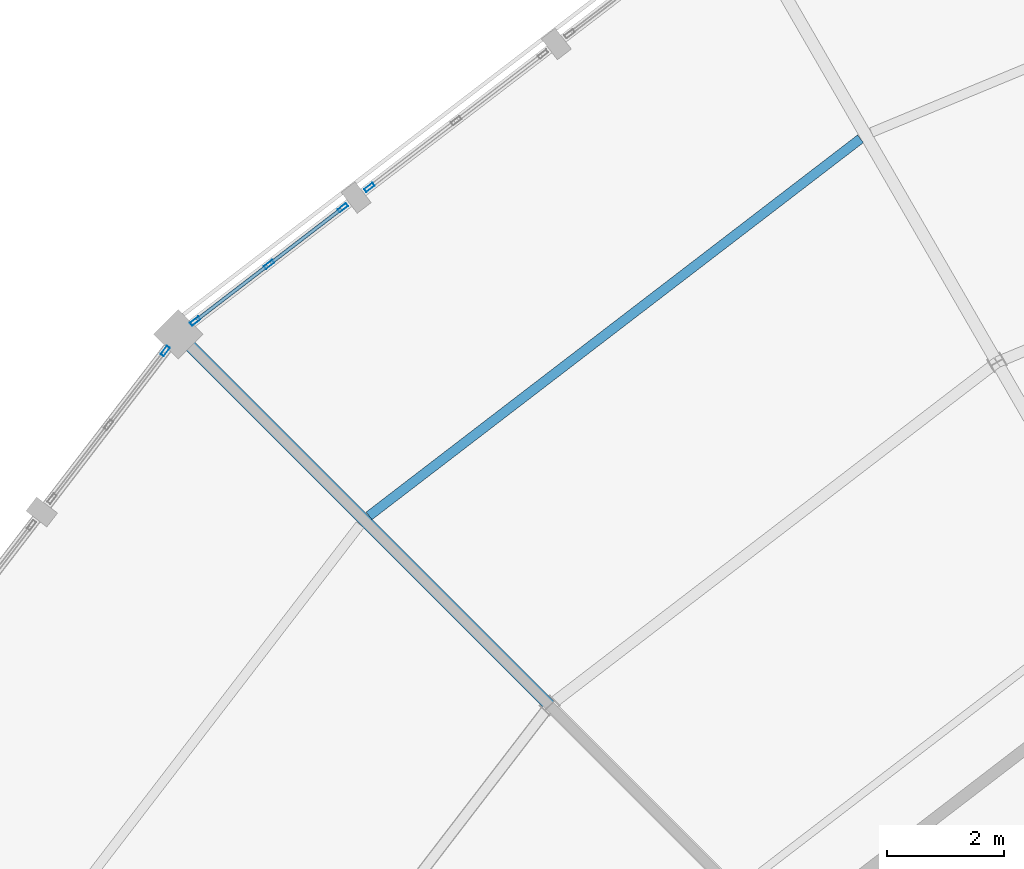
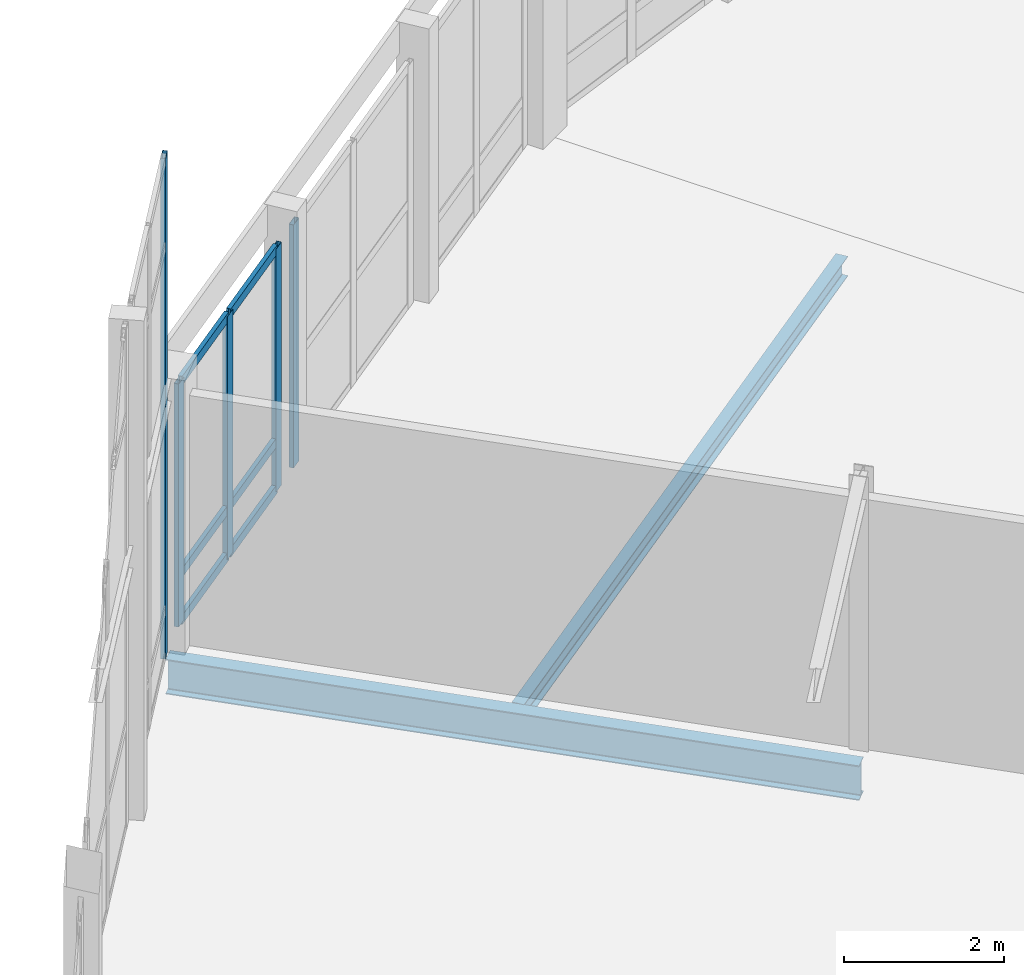
# One storey, part 89 of 200: 11 members, 2 beams, 3 elements without a shape of their own.
"""IFC4 building model written with IfcOpenShell, lengths in metres."""

from ifc_helpers import new_model, si_unit, direction, frame, origin, origin_2d, place, context, subcontext, project, spatial, hollow_rectangle, i_section, extrude, material, material_profile, profile_set, type_object, element, aggregate, save


model = new_model("IFC4")

# Units and contexts
model_context = context("Model", 3, precision=1e-05, world=origin(), true_north=direction((0.0, 1.0)))
body_context = subcontext(model_context, "Body", "Model", "MODEL_VIEW")
ifc_project = project(units=[si_unit("LENGTHUNIT", "METRE"), si_unit("AREAUNIT", "SQUARE_METRE"), si_unit("VOLUMEUNIT", "CUBIC_METRE"), si_unit("PLANEANGLEUNIT", "RADIAN"), si_unit("MASSUNIT", "GRAM", prefix="KILO")], contexts=[model_context])

# Site, building, storey
site_placement = place(None, origin())
site = spatial("IfcSite", under=ifc_project, at=site_placement, CompositionType="ELEMENT")
building_placement = place(site_placement, origin())
building = spatial("IfcBuilding", under=site, at=building_placement, Name="Vondelvale Polytechnic", CompositionType="ELEMENT")
storey_placement = place(building_placement, frame((0.0, 0.0, 13.800048828125)))
storey = spatial("IfcBuildingStorey", under=building, at=storey_placement, Name="L03", CompositionType="ELEMENT", Elevation=13.800048828125)

# Beam
ifc_material_1 = material(Name="Steel 300PLUS (fy = 300 MPa)", Category="steel")
ifc_material_profile_1 = material_profile(ifc_material_1, i_section(OverallWidth=0.208984375, OverallDepth=0.532958984375, WebThickness=0.01025390625, FlangeThickness=0.015625, FilletRadius=0.013916015625, at=origin_2d()), Name="530UB92.4")
ifc_profile_set_1 = profile_set([ifc_material_profile_1], Name="Steel 300PLUS (fy = 300 MPa)")
beam_type_1 = type_object("IfcBeamType", Name="BM-UB530", PredefinedType="BEAM", material=ifc_profile_set_1)
beam_1_placement = place(storey_placement, frame((75.8369140625, 98.1630859375, -0.5166015625), z_axis=(-0.707106781187, 0.707106781187, 0.0), x_axis=(-0.707106781187, -0.707106781187, 0.0)))
element("IfcBeam", 1, at=beam_1_placement, inside=storey, type_object=beam_type_1, Name="L03 RG B-11", PredefinedType="BEAM", context=body_context, shape_type="SweptSolid", body=[
    extrude(i_section(OverallWidth=0.208984375, OverallDepth=0.532958984375, WebThickness=0.01025390625, FlangeThickness=0.015625, FilletRadius=0.013916015625, at=origin_2d()), origin(), (0.0, 0.0, 1.0), 8.999755859375),
])

# Curtain wall, member
ifc_material_2 = material(Name="Glulam GL18 structural Tasmanian oak (fb = 42 MPa)", Category="wood")
curtain_wall_type = type_object("IfcCurtainWallType", Name="CW-RING-OUTER", PredefinedType="NOTDEFINED", material=ifc_material_2)
curtain_wall_1_placement = place(storey_placement, origin())
curtain_wall_1 = element("IfcCurtainWall", 2, at=curtain_wall_1_placement, inside=storey, type_object=curtain_wall_type, Name="L03 architectural curtain wall CW-04-204", PredefinedType="NOTDEFINED")
ifc_material_3 = material(Name="Anodised extruded aluminium 6063-T6", Category="aluminium")
ifc_material_profile_2 = material_profile(ifc_material_3, hollow_rectangle(XDim=0.06494140625, YDim=0.179931640625, WallThickness=0.00390625, at=origin_2d()), Name="CW-MUL-180x65")
ifc_profile_set_2 = profile_set([ifc_material_profile_2], Name="Anodised extruded aluminium 6063-T6")
member_type_1 = type_object("IfcMemberType", Name="CW-MUL-65x180", PredefinedType="MULLION", material=ifc_profile_set_2)
member_1_placement = place(storey_placement, frame((72.749755859375, 107.041259765625, 0.0), z_axis=(0.0, 0.0, 1.0), x_axis=(0.608771189063, -0.793345851043, 0.0)))
member_1 = element("IfcMember", 3, at=member_1_placement, type_object=member_type_1, Name="CW-04-204 mullion 3", PredefinedType="MULLION", context=body_context, shape_type="SweptSolid", body=[
    extrude(hollow_rectangle(XDim=0.06494140625, YDim=0.179931640625, WallThickness=0.00390625, at=origin_2d()), origin(), (0.0, 0.0, 1.0), 3.719970703125),
])
aggregate(curtain_wall_1, [member_1])

# Curtain wall, members
curtain_wall_2_placement = place(storey_placement, origin())
curtain_wall_2 = element("IfcCurtainWall", 4, at=curtain_wall_2_placement, inside=storey, type_object=curtain_wall_type, Name="L03 architectural curtain wall CW-04-205", PredefinedType="NOTDEFINED")
member_2_placement = place(storey_placement, frame((72.293701171875, 106.691162109375, 0.0), z_axis=(0.0, 0.0, 1.0), x_axis=(0.608786860133, -0.793333825656, 0.0)))
member_2 = element("IfcMember", 5, at=member_2_placement, type_object=member_type_1, Name="CW-04-205 mullion 1", PredefinedType="MULLION", context=body_context, shape_type="SweptSolid", body=[
    extrude(hollow_rectangle(XDim=0.06494140625, YDim=0.179931640625, WallThickness=0.00390625, at=origin_2d()), origin(), (0.0, 0.0, 1.0), 3.719970703125),
])
member_3_placement = place(storey_placement, frame((71.0283203125, 105.72021484375, 0.0), z_axis=(0.0, 0.0, 1.0), x_axis=(0.608786860133, -0.793333825656, 0.0)))
member_3 = element("IfcMember", 6, at=member_3_placement, type_object=member_type_1, Name="CW-04-205 mullion 2", PredefinedType="MULLION", context=body_context, shape_type="SweptSolid", body=[
    extrude(hollow_rectangle(XDim=0.06494140625, YDim=0.179931640625, WallThickness=0.00390625, at=origin_2d()), origin(), (0.0, 0.0, 1.0), 3.719970703125),
])
member_4_placement = place(storey_placement, frame((69.762939453125, 104.749267578125, 0.0), z_axis=(0.0, 0.0, 1.0), x_axis=(0.608786860133, -0.793333825656, 0.0)))
member_4 = element("IfcMember", 7, at=member_4_placement, type_object=member_type_1, Name="CW-04-205 mullion 3", PredefinedType="MULLION", context=body_context, shape_type="SweptSolid", body=[
    extrude(hollow_rectangle(XDim=0.06494140625, YDim=0.179931640625, WallThickness=0.00390625, at=origin_2d()), origin(), (0.0, 0.0, 1.0), 3.719970703125),
])

# Curtain wall, member
curtain_wall_3_placement = place(storey_placement, origin())
curtain_wall_3 = element("IfcCurtainWall", 8, at=curtain_wall_3_placement, inside=storey, type_object=curtain_wall_type, Name="L03 architectural curtain wall CW-04-222", PredefinedType="NOTDEFINED")
member_5_placement = place(storey_placement, frame((69.250732421875, 104.237060546875, 0.0), z_axis=(0.0, 0.0, 1.0), x_axis=(0.793333825656, -0.608786860133, 0.0)))
member_5 = element("IfcMember", 9, at=member_5_placement, type_object=member_type_1, Name="CW-04-222 mullion 1", PredefinedType="MULLION", context=body_context, shape_type="SweptSolid", body=[
    extrude(hollow_rectangle(XDim=0.06494140625, YDim=0.179931640625, WallThickness=0.00390625, at=origin_2d()), origin(), (0.0, 0.0, 1.0), 7.661376953125),
])
aggregate(curtain_wall_3, [member_5])

# Member
ifc_material_profile_3 = material_profile(ifc_material_3, hollow_rectangle(XDim=0.06005859375, YDim=0.139892578125, WallThickness=0.00341796875, at=origin_2d()), Name="CW-TRN-140x60")
ifc_profile_set_3 = profile_set([ifc_material_profile_3], Name="Anodised extruded aluminium 6063-T6")
member_type_2 = type_object("IfcMemberType", Name="CW-TRN-60x140", PredefinedType="USERDEFINED", material=ifc_profile_set_3)
member_6_placement = place(storey_placement, frame((72.267822265625, 106.67138671875, 0.030029296875), z_axis=(-0.793364883229, -0.608746385664, 0.0), x_axis=(0.608746385664, -0.793364883229, 0.0)))
member_6 = element("IfcMember", 10, at=member_6_placement, type_object=member_type_2, Name="CW-04-205 transom 1.1", ObjectType="TRANSOM", PredefinedType="USERDEFINED", context=body_context, shape_type="SweptSolid", body=[
    extrude(hollow_rectangle(XDim=0.06005859375, YDim=0.139892578125, WallThickness=0.00341796875, at=origin_2d()), origin(), (0.0, 0.0, 1.0), 1.530029296875),
])

member_7_placement = place(storey_placement, frame((72.267822265625, 106.67138671875, 0.75), z_axis=(-0.793364883229, -0.608746385664, 0.0), x_axis=(0.608746385664, -0.793364883229, 0.0)))
member_7 = element("IfcMember", 11, at=member_7_placement, type_object=member_type_2, Name="CW-04-205 transom 1.2", ObjectType="TRANSOM", PredefinedType="USERDEFINED", context=body_context, shape_type="SweptSolid", body=[
    extrude(hollow_rectangle(XDim=0.06005859375, YDim=0.139892578125, WallThickness=0.00341796875, at=origin_2d()), origin(), (0.0, 0.0, 1.0), 1.530029296875),
])

member_8_placement = place(storey_placement, frame((72.267822265625, 106.67138671875, 3.68994140625), z_axis=(-0.793364883229, -0.608746385664, 0.0), x_axis=(0.608746385664, -0.793364883229, 0.0)))
member_8 = element("IfcMember", 12, at=member_8_placement, type_object=member_type_2, Name="CW-04-205 transom 1.3", ObjectType="TRANSOM", PredefinedType="USERDEFINED", context=body_context, shape_type="SweptSolid", body=[
    extrude(hollow_rectangle(XDim=0.06005859375, YDim=0.139892578125, WallThickness=0.00341796875, at=origin_2d()), origin(), (0.0, 0.0, 1.0), 1.530029296875),
])

member_9_placement = place(storey_placement, frame((71.00244140625, 105.700439453125, 0.030029296875), z_axis=(-0.793364883229, -0.608746385664, 0.0), x_axis=(0.608746385664, -0.793364883229, 0.0)))
member_9 = element("IfcMember", 13, at=member_9_placement, type_object=member_type_2, Name="CW-04-205 transom 2.1", ObjectType="TRANSOM", PredefinedType="USERDEFINED", context=body_context, shape_type="SweptSolid", body=[
    extrude(hollow_rectangle(XDim=0.06005859375, YDim=0.139892578125, WallThickness=0.00341796875, at=origin_2d()), origin(), (0.0, 0.0, 1.0), 1.530029296875),
])

member_10_placement = place(storey_placement, frame((71.00244140625, 105.700439453125, 0.75), z_axis=(-0.793364883229, -0.608746385664, 0.0), x_axis=(0.608746385664, -0.793364883229, 0.0)))
member_10 = element("IfcMember", 14, at=member_10_placement, type_object=member_type_2, Name="CW-04-205 transom 2.2", ObjectType="TRANSOM", PredefinedType="USERDEFINED", context=body_context, shape_type="SweptSolid", body=[
    extrude(hollow_rectangle(XDim=0.06005859375, YDim=0.139892578125, WallThickness=0.00341796875, at=origin_2d()), origin(), (0.0, 0.0, 1.0), 1.530029296875),
])

member_11_placement = place(storey_placement, frame((71.00244140625, 105.700439453125, 3.68994140625), z_axis=(-0.793364883229, -0.608746385664, 0.0), x_axis=(0.608746385664, -0.793364883229, 0.0)))
member_11 = element("IfcMember", 15, at=member_11_placement, type_object=member_type_2, Name="CW-04-205 transom 2.3", ObjectType="TRANSOM", PredefinedType="USERDEFINED", context=body_context, shape_type="SweptSolid", body=[
    extrude(hollow_rectangle(XDim=0.06005859375, YDim=0.139892578125, WallThickness=0.00341796875, at=origin_2d()), origin(), (0.0, 0.0, 1.0), 1.530029296875),
])

aggregate(curtain_wall_2, [member_2, member_3, member_4, member_6, member_7, member_8, member_9, member_10, member_11])

# Beam
ifc_material_profile_4 = material_profile(ifc_material_1, i_section(OverallWidth=0.1650390625, OverallDepth=0.303955078125, WebThickness=0.006103515625, FlangeThickness=0.01025390625, FilletRadius=0.011474609375, at=origin_2d()), Name="310UB40.4")
ifc_profile_set_4 = profile_set([ifc_material_profile_4], Name="Steel 300PLUS (fy = 300 MPa)")
beam_type_2 = type_object("IfcBeamType", Name="JST-UB310", PredefinedType="JOIST", material=ifc_profile_set_4)
beam_2_placement = place(storey_placement, frame((81.16259765625, 107.873046875, -0.402099609375), z_axis=(-0.793346013368, -0.608770977523, 0.0), x_axis=(0.608770977523, -0.793346013368, 0.0)))
element("IfcBeam", 16, at=beam_2_placement, inside=storey, type_object=beam_type_2, Name="L03 RJ J-05", PredefinedType="JOIST", context=body_context, shape_type="SweptSolid", body=[
    extrude(i_section(OverallWidth=0.1650390625, OverallDepth=0.303955078125, WebThickness=0.006103515625, FlangeThickness=0.01025390625, FilletRadius=0.011474609375, at=origin_2d()), origin(), (0.0, 0.0, 1.0), 10.613525390625),
])

save(model, "model.ifc")
